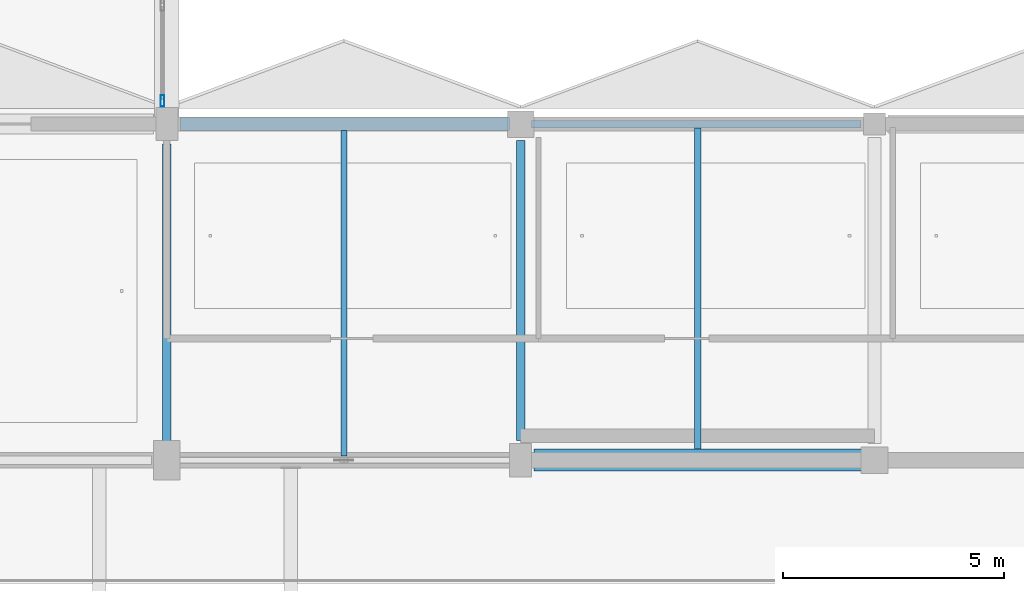
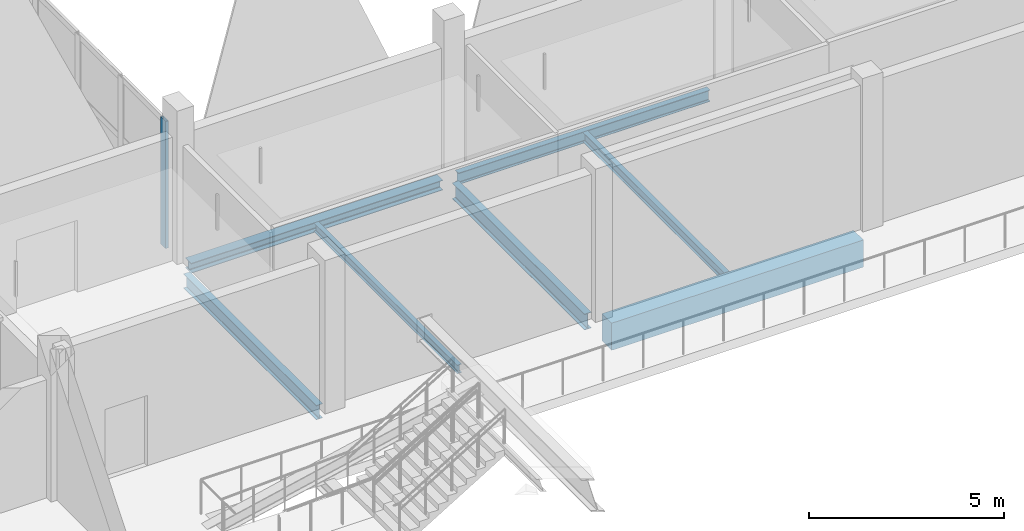
# One storey, part 20 of 141: 7 beams, 1 member, 1 element without a shape of its own.
"""IFC4 building model written with IfcOpenShell, lengths in metres."""

from ifc_helpers import new_model, si_unit, direction, frame, origin, origin_2d, place, context, subcontext, project, spatial, rectangle, hollow_rectangle, i_section, extrude, material, material_profile, profile_set, type_object, element, aggregate, save


model = new_model("IFC4")

# Units and contexts
model_context = context("Model", 3, precision=1e-05, world=origin(), true_north=direction((0.0, 1.0)))
body_context = subcontext(model_context, "Body", "Model", "MODEL_VIEW")
ifc_project = project(units=[si_unit("LENGTHUNIT", "METRE"), si_unit("AREAUNIT", "SQUARE_METRE"), si_unit("VOLUMEUNIT", "CUBIC_METRE"), si_unit("PLANEANGLEUNIT", "RADIAN"), si_unit("MASSUNIT", "GRAM", prefix="KILO")], contexts=[model_context])

# Site, building, storey
site_placement = place(None, origin())
site = spatial("IfcSite", under=ifc_project, at=site_placement, CompositionType="ELEMENT")
building_placement = place(site_placement, origin())
building = spatial("IfcBuilding", under=site, at=building_placement, Name="Khelvaren Railside Concert Hall", CompositionType="ELEMENT")
storey_placement = place(building_placement, frame((0.0, 0.0, 10.199951171875)))
storey = spatial("IfcBuildingStorey", under=building, at=storey_placement, Name="L02", CompositionType="ELEMENT", Elevation=10.199951171875)

# Beams
ifc_material_1 = material(Name="Steel S355", Category="steel")
ifc_material_profile_1 = material_profile(ifc_material_1, i_section(OverallWidth=0.199951171875, OverallDepth=0.5, WebThickness=0.01025390625, FlangeThickness=0.01611328125, FilletRadius=0.02099609375, at=origin_2d()), Name="IPE 500")
ifc_profile_set_1 = profile_set([ifc_material_profile_1], Name="Steel S355")
beam_type_1 = type_object("IfcBeamType", Name="BM62", PredefinedType="BEAM", material=ifc_profile_set_1)
beam_1_placement = place(storey_placement, frame((24.0, 38.449951171875, -0.5400390625), z_axis=(0.0, 1.0, 0.0), x_axis=(-1.0, 0.0, 0.0)))
element("IfcBeam", 1, at=beam_1_placement, inside=storey, type_object=beam_type_1, Name="V1 L02 Beam Y4.6", PredefinedType="BEAM", context=body_context, shape_type="SweptSolid", body=[
    extrude(i_section(OverallWidth=0.199951171875, OverallDepth=0.5, WebThickness=0.01025390625, FlangeThickness=0.01611328125, FilletRadius=0.02099609375, at=origin_2d()), origin(), (0.0, 0.0, 1.0), 6.775146484375),
])
ifc_material_profile_2 = material_profile(ifc_material_1, i_section(OverallWidth=0.18994140625, OverallDepth=0.449951171875, WebThickness=0.009521484375, FlangeThickness=0.0146484375, FilletRadius=0.02099609375, at=origin_2d()), Name="IPE 450")
ifc_profile_set_2 = profile_set([ifc_material_profile_2], Name="Steel S355")
beam_type_2 = type_object("IfcBeamType", Name="BM95", PredefinedType="BEAM", material=ifc_profile_set_2)
beam_2_placement = place(storey_placement, frame((16.0, 38.35009765625, -0.514892578125), z_axis=(0.0, 1.0, 0.0), x_axis=(-1.0, 0.0, 0.0)))
element("IfcBeam", 2, at=beam_2_placement, inside=storey, type_object=beam_type_2, Name="V1 L02 Beam Y3.6", PredefinedType="BEAM", context=body_context, shape_type="SweptSolid", body=[
    extrude(i_section(OverallWidth=0.18994140625, OverallDepth=0.449951171875, WebThickness=0.009521484375, FlangeThickness=0.0146484375, FilletRadius=0.02099609375, at=origin_2d()), origin(), (0.0, 0.0, 1.0), 6.7998046875),
])

# Curtain wall, member
ifc_material_2 = material(Name="Acoustic laminated crystal facade glass", Category="glass")
curtain_wall_type = type_object("IfcCurtainWallType", Name="CW78", PredefinedType="USERDEFINED", material=ifc_material_2)
curtain_wall_placement = place(storey_placement, origin())
curtain_wall = element("IfcCurtainWall", 3, at=curtain_wall_placement, inside=storey, type_object=curtain_wall_type, Name="Unitised Curtain Wall CW-LB3-L02-E1", ObjectType="UNITISED CURTAIN WALL", PredefinedType="USERDEFINED")
ifc_material_3 = material(Name="Anodised architectural aluminium 6063-T6", Category="aluminium")
ifc_material_profile_3 = material_profile(ifc_material_3, hollow_rectangle(XDim=0.0849609375, YDim=0.260009765625, WallThickness=0.0048828125, InnerFilletRadius=0.0029296875, OuterFilletRadius=0.0048828125, at=origin_2d()), Name="CWM 85x260x5")
ifc_profile_set_3 = profile_set([ifc_material_profile_3], Name="Anodised architectural aluminium 6063-T6")
member_type = type_object("IfcMemberType", Name="CWM40", PredefinedType="MULLION", material=ifc_profile_set_3)
member_placement = place(storey_placement, frame((15.89990234375, 46.12255859375, 0.0), z_axis=(0.0, 0.0, 1.0), x_axis=(1.0, 0.0, 0.0)))
member = element("IfcMember", 4, at=member_placement, type_object=member_type, Name="CW78 mullion 4", PredefinedType="MULLION", context=body_context, shape_type="SweptSolid", body=[
    extrude(hollow_rectangle(XDim=0.0849609375, YDim=0.260009765625, WallThickness=0.0048828125, InnerFilletRadius=0.0029296875, OuterFilletRadius=0.0048828125, at=origin_2d()), origin(), (0.0, 0.0, 1.0), 3.97998046875),
])
aggregate(curtain_wall, [member])

# Beams
ifc_material_4 = material(Name="Concrete C40/50", Category="concrete")
ifc_material_profile_4 = material_profile(ifc_material_4, rectangle(XDim=0.5, YDim=0.85009765625, at=origin_2d()), Name="RCB 500x850")
ifc_profile_set_4 = profile_set([ifc_material_profile_4], Name="Concrete C40/50")
beam_type_3 = type_object("IfcBeamType", Name="GR96", PredefinedType="T_BEAM", material=ifc_profile_set_4)
beam_3_placement = place(storey_placement, frame((24.300048828125, 38.0, -0.71484375), z_axis=(1.0, 0.0, 0.0), x_axis=(0.0, 1.0, 0.0)))
element("IfcBeam", 5, at=beam_3_placement, inside=storey, type_object=beam_type_3, Name="V1 L02 T_Beam X6.4", PredefinedType="T_BEAM", context=body_context, shape_type="SweptSolid", body=[
    extrude(rectangle(XDim=0.5, YDim=0.85009765625, at=origin_2d()), origin(), (0.0, 0.0, 1.0), 7.449951171875),
])
ifc_material_profile_5 = material_profile(ifc_material_1, i_section(OverallWidth=0.14990234375, OverallDepth=0.300048828125, WebThickness=0.007080078125, FlangeThickness=0.0107421875, FilletRadius=0.014892578125, at=origin_2d()), Name="IPE 300")
ifc_profile_set_5 = profile_set([ifc_material_profile_5], Name="Steel S355")
beam_type_4 = type_object("IfcBeamType", Name="JS26", PredefinedType="JOIST", material=ifc_profile_set_5)
beam_4_placement = place(storey_placement, frame((28.0, 38.25, -0.43994140625), z_axis=(0.0, 1.0, 0.0), x_axis=(-1.0, 0.0, 0.0)))
element("IfcBeam", 6, at=beam_4_placement, inside=storey, type_object=beam_type_4, Name="V1 L02 Secondary Joist 4.6", PredefinedType="JOIST", context=body_context, shape_type="SweptSolid", body=[
    extrude(i_section(OverallWidth=0.14990234375, OverallDepth=0.300048828125, WebThickness=0.007080078125, FlangeThickness=0.0107421875, FilletRadius=0.014892578125, at=origin_2d()), origin(), (0.0, 0.0, 1.0), 7.264892578125),
])
ifc_material_profile_6 = material_profile(ifc_material_1, i_section(OverallWidth=0.135009765625, OverallDepth=0.27001953125, WebThickness=0.006591796875, FlangeThickness=0.01025390625, FilletRadius=0.014892578125, at=origin_2d()), Name="IPE 270")
ifc_profile_set_6 = profile_set([ifc_material_profile_6], Name="Steel S355")
beam_type_5 = type_object("IfcBeamType", Name="JS78", PredefinedType="JOIST", material=ifc_profile_set_6)
beam_5_placement = place(storey_placement, frame((20.0, 38.10009765625, -0.425048828125), z_axis=(0.0, 1.0, 0.0), x_axis=(-1.0, 0.0, 0.0)))
element("IfcBeam", 7, at=beam_5_placement, inside=storey, type_object=beam_type_5, Name="V1 L02 Secondary Joist 3.6", PredefinedType="JOIST", context=body_context, shape_type="SweptSolid", body=[
    extrude(i_section(OverallWidth=0.135009765625, OverallDepth=0.27001953125, WebThickness=0.006591796875, FlangeThickness=0.01025390625, FilletRadius=0.014892578125, at=origin_2d()), origin(), (0.0, 0.0, 1.0), 7.349853515625),
])
ifc_material_profile_7 = material_profile(ifc_material_1, i_section(OverallWidth=0.300048828125, OverallDepth=0.31005859375, WebThickness=0.009033203125, FlangeThickness=0.015380859375, FilletRadius=0.027099609375, at=origin_2d()), Name="HEA 320")
ifc_profile_set_7 = profile_set([ifc_material_profile_7], Name="Steel S355")
beam_type_6 = type_object("IfcBeamType", Name="SP66", PredefinedType="SPANDREL", material=ifc_profile_set_7)
beam_6_placement = place(storey_placement, frame((16.300048828125, 45.60009765625, -0.445068359375), z_axis=(1.0, 0.0, 0.0), x_axis=(0.0, 1.0, 0.0)))
element("IfcBeam", 8, at=beam_6_placement, inside=storey, type_object=beam_type_6, Name="V1 L02 Spandrel X7.3", PredefinedType="SPANDREL", context=body_context, shape_type="SweptSolid", body=[
    extrude(i_section(OverallWidth=0.300048828125, OverallDepth=0.31005859375, WebThickness=0.009033203125, FlangeThickness=0.015380859375, FilletRadius=0.027099609375, at=origin_2d()), origin(), (0.0, 0.0, 1.0), 7.449951171875),
])
ifc_material_profile_8 = material_profile(ifc_material_1, i_section(OverallWidth=0.169921875, OverallDepth=0.360107421875, WebThickness=0.008056640625, FlangeThickness=0.0126953125, FilletRadius=0.01806640625, at=origin_2d()), Name="IPE 360")
ifc_profile_set_8 = profile_set([ifc_material_profile_8], Name="Steel S355")
beam_type_7 = type_object("IfcBeamType", Name="SP74", PredefinedType="SPANDREL", material=ifc_profile_set_8)
beam_7_placement = place(storey_placement, frame((24.25, 45.60009765625, -0.469970703125), z_axis=(1.0, 0.0, 0.0), x_axis=(0.0, 1.0, 0.0)))
element("IfcBeam", 9, at=beam_7_placement, inside=storey, type_object=beam_type_7, Name="V1 L02 Spandrel X7.4", PredefinedType="SPANDREL", context=body_context, shape_type="SweptSolid", body=[
    extrude(i_section(OverallWidth=0.169921875, OverallDepth=0.360107421875, WebThickness=0.008056640625, FlangeThickness=0.0126953125, FilletRadius=0.01806640625, at=origin_2d()), origin(), (0.0, 0.0, 1.0), 7.449951171875),
])

save(model, "model.ifc")
